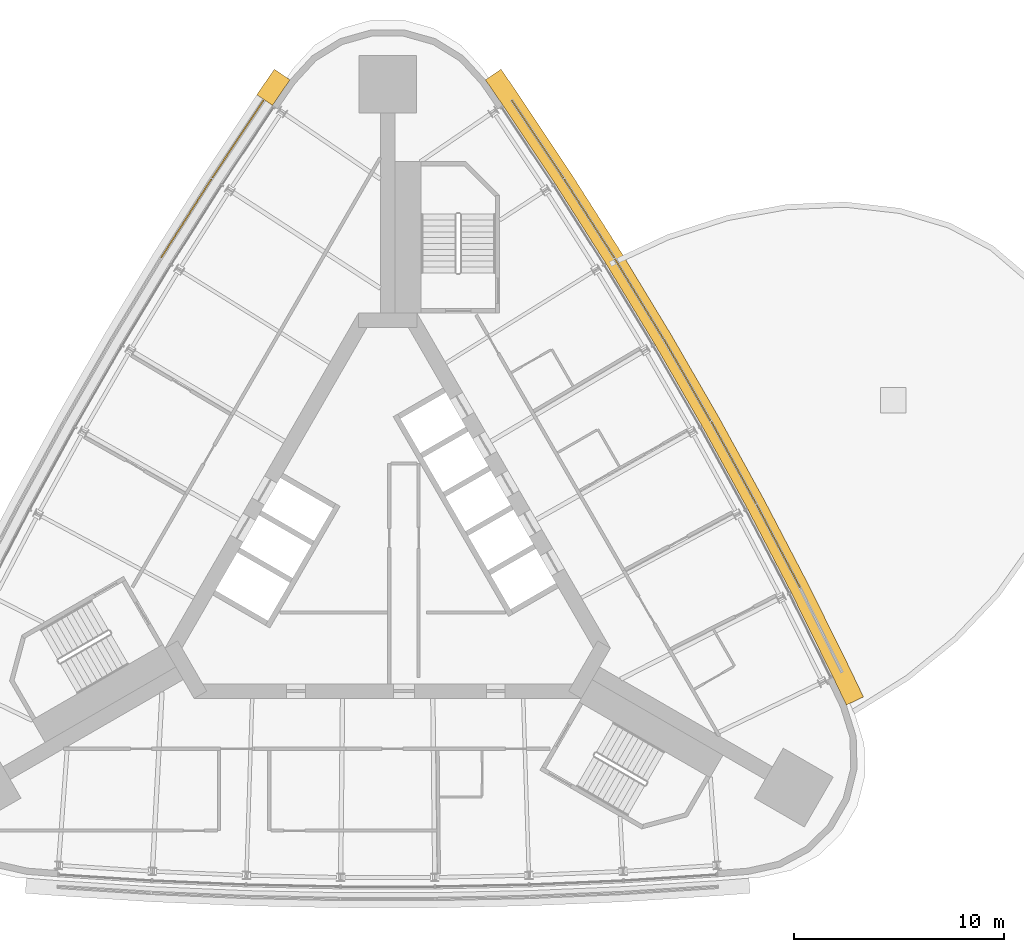
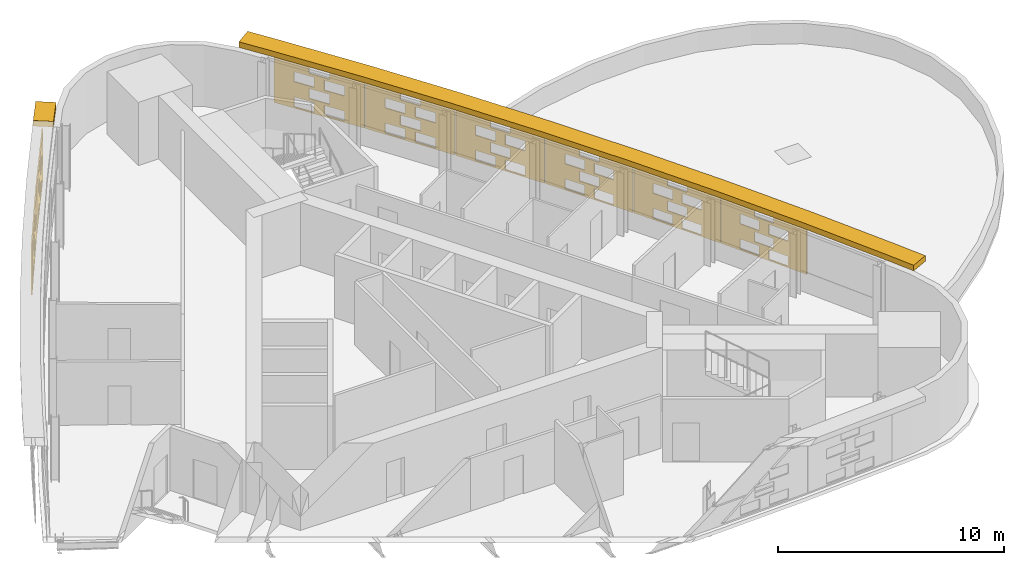
# One storey, part 12 of 12: 10 shading devices.
"""IFC4 building model written with IfcOpenShell, lengths in metres."""

from ifc_helpers import new_model, si_unit, direction, frame, origin, place, context, subcontext, project, spatial, polyline, outline, extrude, material, material_profile, profile_set, type_object, element, save


model = new_model("IFC4")

# Units and contexts
model_context = context("Model", 3, precision=1e-05, world=origin(), true_north=direction((0.0, 1.0)))
body_context = subcontext(model_context, "Body", "Model", "MODEL_VIEW")
ifc_project = project(units=[si_unit("LENGTHUNIT", "METRE"), si_unit("AREAUNIT", "SQUARE_METRE"), si_unit("VOLUMEUNIT", "CUBIC_METRE"), si_unit("PLANEANGLEUNIT", "RADIAN"), si_unit("MASSUNIT", "GRAM", prefix="KILO")], contexts=[model_context])

# Site, building, storey
site_placement = place(None, origin())
site = spatial("IfcSite", under=ifc_project, at=site_placement, CompositionType="ELEMENT")
building_placement = place(site_placement, origin())
building = spatial("IfcBuilding", under=site, at=building_placement, Name="Noor Cloister Tower", CompositionType="ELEMENT")
storey_placement = place(building_placement, frame((0.0, 0.0, 185.10009765625)))
storey = spatial("IfcBuildingStorey", under=building, at=storey_placement, Name="L47", CompositionType="ELEMENT", Elevation=185.10009765625)

# Shading devices
ifc_material_1 = material(Name="Limestone", Category="masonry")
ifc_material_profile = material_profile(ifc_material_1, outline(polyline([(-2.22998046875, -1.35009765625), (2.22998046875, -1.35009765625), (2.22998046875, 1.35009765625), (-2.22998046875, 1.35009765625), (-2.22998046875, -1.35009765625)]), holes=[polyline([(-1.25, -1.282470703125), (-0.25, -1.282470703125), (-0.25, -0.742431640625), (-1.25, -0.742431640625), (-1.25, -1.282470703125)]), polyline([(0.25, -1.282470703125), (1.25, -1.282470703125), (1.25, -0.742431640625), (0.25, -0.742431640625), (0.25, -1.282470703125)]), polyline([(-0.5, -0.607421875), (0.5, -0.607421875), (0.5, -0.0673828125), (-0.5, -0.0673828125), (-0.5, -0.607421875)]), polyline([(-1.25, 0.0673828125), (-0.25, 0.0673828125), (-0.25, 0.607421875), (-1.25, 0.607421875), (-1.25, 0.0673828125)]), polyline([(0.25, 0.0673828125), (1.25, 0.0673828125), (1.25, 0.607421875), (0.25, 0.607421875), (0.25, 0.0673828125)]), polyline([(-0.5, 0.742431640625), (0.5, 0.742431640625), (0.5, 1.282470703125), (-0.5, 1.282470703125), (-0.5, 0.742431640625)])]), Name="Woven screen 32 percent open")
ifc_profile_set = profile_set([ifc_material_profile], Name="Limestone")
shading_device_type_1 = type_object("IfcShadingDeviceType", Name="SCREEN woven limestone 32 percent open", PredefinedType="USERDEFINED", material=ifc_profile_set)
for number, where, z_axis, x_axis, name in (
    (1, (-7.116455078125, 19.718994140625, 1.849853515625), (-0.833298909309, 0.552822691054, 0.0), (-0.552822691054, -0.833298909309, 0.0), "SCREEN L47 1"),
    (2, (-9.576904296875, 15.93994140625, 1.849853515625), (-0.8431579539, 0.537665941617, 0.0), (-0.537665941617, -0.8431579539, 0.0), "SCREEN L47 2"),
    (3, (18.5927734375, 0.32373046875, 1.849853515625), (0.886149575817, 0.463399319464, 0.0), (-0.463399319464, 0.886149575817, 0.0), "SCREEN L47 2"),
    (4, (16.464599609375, 4.29931640625, 1.849853515625), (0.877584848731, 0.479421352547, 0.0), (-0.479421352547, 0.877584848731, 0.0), "SCREEN L47 3"),
):
    element("IfcShadingDevice", number, at=place(storey_placement, frame(where, z_axis=z_axis, x_axis=x_axis)), inside=storey, type_object=shading_device_type_1, Name=name, ObjectType="SCREEN", PredefinedType="USERDEFINED", context=body_context, shape_type="SweptSolid", body=[
        extrude(outline(polyline([(-2.22998046875, -1.35009765625), (2.22998046875, -1.35009765625), (2.22998046875, 1.35009765625), (-2.22998046875, 1.35009765625), (-2.22998046875, -1.35009765625)]), holes=[polyline([(-1.25, -1.282470703125), (-0.25, -1.282470703125), (-0.25, -0.742431640625), (-1.25, -0.742431640625), (-1.25, -1.282470703125)]), polyline([(0.25, -1.282470703125), (1.25, -1.282470703125), (1.25, -0.742431640625), (0.25, -0.742431640625), (0.25, -1.282470703125)]), polyline([(-0.5, -0.607421875), (0.5, -0.607421875), (0.5, -0.0673828125), (-0.5, -0.0673828125), (-0.5, -0.607421875)]), polyline([(-1.25, 0.0673828125), (-0.25, 0.0673828125), (-0.25, 0.607421875), (-1.25, 0.607421875), (-1.25, 0.0673828125)]), polyline([(0.25, 0.0673828125), (1.25, 0.0673828125), (1.25, 0.607421875), (0.25, 0.607421875), (0.25, 0.0673828125)]), polyline([(-0.5, 0.742431640625), (0.5, 0.742431640625), (0.5, 1.282470703125), (-0.5, 1.282470703125), (-0.5, 0.742431640625)])]), origin(), (0.0, 0.0, 1.0), 0.06005859375),
    ])
shading_device_1_placement = place(storey_placement, frame((14.251953125, 8.228515625, 1.849853515625), z_axis=(0.86774129532, 0.497016140981, 0.0), x_axis=(-0.497016140981, 0.86774129532, 0.0)))
element("IfcShadingDevice", 5, at=shading_device_1_placement, inside=storey, type_object=shading_device_type_1, Name="SCREEN L47 4", ObjectType="SCREEN", PredefinedType="USERDEFINED", context=body_context, shape_type="SweptSolid", body=[
    extrude(outline(polyline([(-2.22998046875, -1.35009765625), (2.22998046875, -1.35009765625), (2.22998046875, 1.35009765625), (-2.22998046875, 1.35009765625), (-2.22998046875, -1.35009765625)]), holes=[polyline([(-1.25, -1.282470703125), (-0.25, -1.282470703125), (-0.25, -0.742431640625), (-1.25, -0.742431640625), (-1.25, -1.282470703125)]), polyline([(0.25, -1.282470703125), (1.25, -1.282470703125), (1.25, -0.742431640625), (0.25, -0.742431640625), (0.25, -1.282470703125)]), polyline([(-0.5, -0.607421875), (0.5, -0.607421875), (0.5, -0.0673828125), (-0.5, -0.0673828125), (-0.5, -0.607421875)]), polyline([(-1.25, 0.0673828125), (-0.25, 0.0673828125), (-0.25, 0.607421875), (-1.25, 0.607421875), (-1.25, 0.0673828125)]), polyline([(0.25, 0.0673828125), (1.25, 0.0673828125), (1.25, 0.607421875), (0.25, 0.607421875), (0.25, 0.0673828125)]), polyline([(-0.5, 0.742431640625), (0.5, 0.742431640625), (0.5, 1.282470703125), (-0.5, 1.282470703125), (-0.5, 0.742431640625)])]), origin(), (0.0, 0.0, 1.0), 0.059814453125),
])
shading_device_2_placement = place(storey_placement, frame((11.95556640625, 12.109130859375, 1.849853515625), z_axis=(0.854980050906, 0.518660883962, 0.0), x_axis=(-0.518660883962, 0.854980050906, 0.0)))
element("IfcShadingDevice", 6, at=shading_device_2_placement, inside=storey, type_object=shading_device_type_1, Name="SCREEN L47 5", ObjectType="SCREEN", PredefinedType="USERDEFINED", context=body_context, shape_type="SweptSolid", body=[
    extrude(outline(polyline([(-2.22998046875, -1.35009765625), (2.22998046875, -1.35009765625), (2.22998046875, 1.35009765625), (-2.22998046875, 1.35009765625), (-2.22998046875, -1.35009765625)]), holes=[polyline([(-1.25, -1.282470703125), (-0.25, -1.282470703125), (-0.25, -0.742431640625), (-1.25, -0.742431640625), (-1.25, -1.282470703125)]), polyline([(0.25, -1.282470703125), (1.25, -1.282470703125), (1.25, -0.742431640625), (0.25, -0.742431640625), (0.25, -1.282470703125)]), polyline([(-0.5, -0.607421875), (0.5, -0.607421875), (0.5, -0.0673828125), (-0.5, -0.0673828125), (-0.5, -0.607421875)]), polyline([(-1.25, 0.0673828125), (-0.25, 0.0673828125), (-0.25, 0.607421875), (-1.25, 0.607421875), (-1.25, 0.0673828125)]), polyline([(0.25, 0.0673828125), (1.25, 0.0673828125), (1.25, 0.607421875), (0.25, 0.607421875), (0.25, 0.0673828125)]), polyline([(-0.5, 0.742431640625), (0.5, 0.742431640625), (0.5, 1.282470703125), (-0.5, 1.282470703125), (-0.5, 0.742431640625)])]), origin(), (0.0, 0.0, 1.0), 0.060302734375),
])
for number, where, z_axis, x_axis, name in (
    (7, (9.576904296875, 15.93994140625, 1.849853515625), (0.8431579539, 0.537665941617, 0.0), (-0.537665941617, 0.8431579539, 0.0), "SCREEN L47 6"),
    (8, (7.116455078125, 19.718994140625, 1.849853515625), (0.833298909309, 0.552822691054, 0.0), (-0.552822691054, 0.833298909309, 0.0), "SCREEN L47 7"),
):
    element("IfcShadingDevice", number, at=place(storey_placement, frame(where, z_axis=z_axis, x_axis=x_axis)), inside=storey, type_object=shading_device_type_1, Name=name, ObjectType="SCREEN", PredefinedType="USERDEFINED", context=body_context, shape_type="SweptSolid", body=[
        extrude(outline(polyline([(-2.22998046875, -1.35009765625), (2.22998046875, -1.35009765625), (2.22998046875, 1.35009765625), (-2.22998046875, 1.35009765625), (-2.22998046875, -1.35009765625)]), holes=[polyline([(-1.25, -1.282470703125), (-0.25, -1.282470703125), (-0.25, -0.742431640625), (-1.25, -0.742431640625), (-1.25, -1.282470703125)]), polyline([(0.25, -1.282470703125), (1.25, -1.282470703125), (1.25, -0.742431640625), (0.25, -0.742431640625), (0.25, -1.282470703125)]), polyline([(-0.5, -0.607421875), (0.5, -0.607421875), (0.5, -0.0673828125), (-0.5, -0.0673828125), (-0.5, -0.607421875)]), polyline([(-1.25, 0.0673828125), (-0.25, 0.0673828125), (-0.25, 0.607421875), (-1.25, 0.607421875), (-1.25, 0.0673828125)]), polyline([(0.25, 0.0673828125), (1.25, 0.0673828125), (1.25, 0.607421875), (0.25, 0.607421875), (0.25, 0.0673828125)]), polyline([(-0.5, 0.742431640625), (0.5, 0.742431640625), (0.5, 1.282470703125), (-0.5, 1.282470703125), (-0.5, 0.742431640625)])]), origin(), (0.0, 0.0, 1.0), 0.06005859375),
    ])
ifc_material_2 = material(Name="Limestone", Category="masonry")
shading_device_type_2 = type_object("IfcShadingDeviceType", Name="SUNSHADE limestone band 900", PredefinedType="USERDEFINED", material=ifc_material_2)
shading_device_3_placement = place(storey_placement, frame((0.0, 0.0, 3.2998046875)))
element("IfcShadingDevice", 9, at=shading_device_3_placement, inside=storey, type_object=shading_device_type_2, Name="SUNSHADE L47 3", ObjectType="SUNSHADE", PredefinedType="USERDEFINED", context=body_context, shape_type="SweptSolid", body=[
    extrude(outline(polyline([(22.6767578125, -6.855712890625), (22.0390625, -5.519287109375), (20.036865234375, -1.471435546875), (17.94677734375, 2.535400390625), (15.771484375, 6.49658203125), (13.511962890625, 10.41015625), (11.1689453125, 14.274658203125), (8.744140625, 18.088134765625), (6.23974609375, 21.84619140625), (5.401123046875, 23.06640625), (4.659423828125, 22.556884765625), (5.494384765625, 21.341552734375), (7.98974609375, 17.59716796875), (10.404541015625, 13.7998046875), (12.7373046875, 9.951904296875), (14.9873046875, 6.054931640625), (17.1533203125, 2.110595703125), (19.234375, -1.879150390625), (21.2294921875, -5.91259765625), (21.864501953125, -7.2431640625), (22.6767578125, -6.855712890625)])), origin(), (0.0, 0.0, 1.0), 0.300048828125),
])
shading_device_4_placement = place(storey_placement, frame((0.0, 0.0, 3.2998046875)))
element("IfcShadingDevice", 10, at=shading_device_4_placement, inside=storey, type_object=shading_device_type_2, Name="SUNSHADE L47 4", ObjectType="SUNSHADE", PredefinedType="USERDEFINED", context=body_context, shape_type="SweptSolid", body=[
    extrude(outline(polyline([(-5.401123046875, 23.06640625), (-6.236083984375, 21.851318359375), (-5.494384765625, 21.341552734375), (-4.659423828125, 22.556884765625), (-5.401123046875, 23.06640625)])), origin(), (0.0, 0.0, 1.0), 0.300048828125),
])

save(model, "model.ifc")
